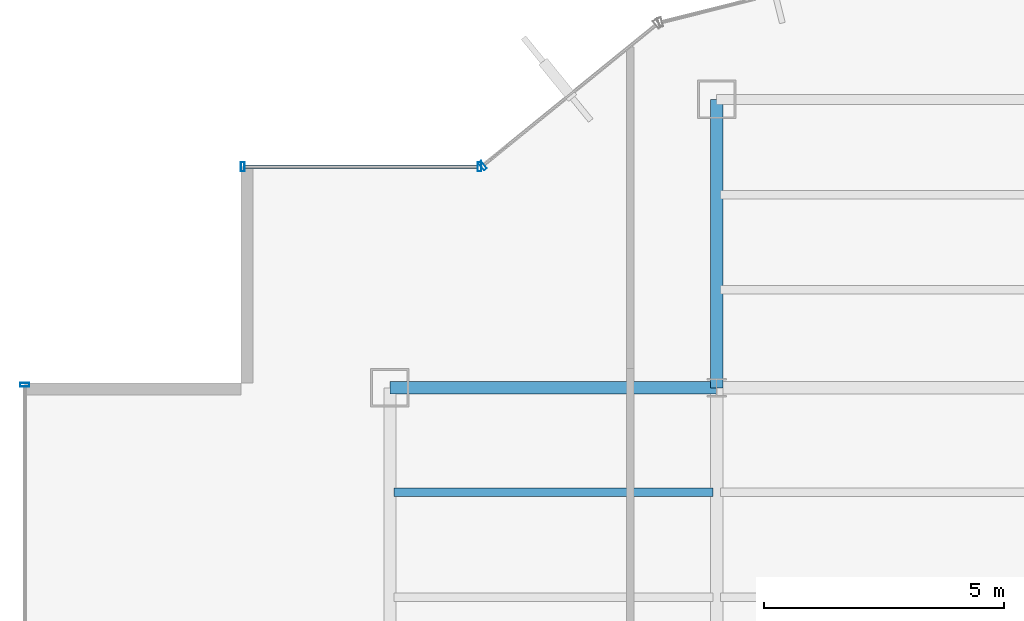
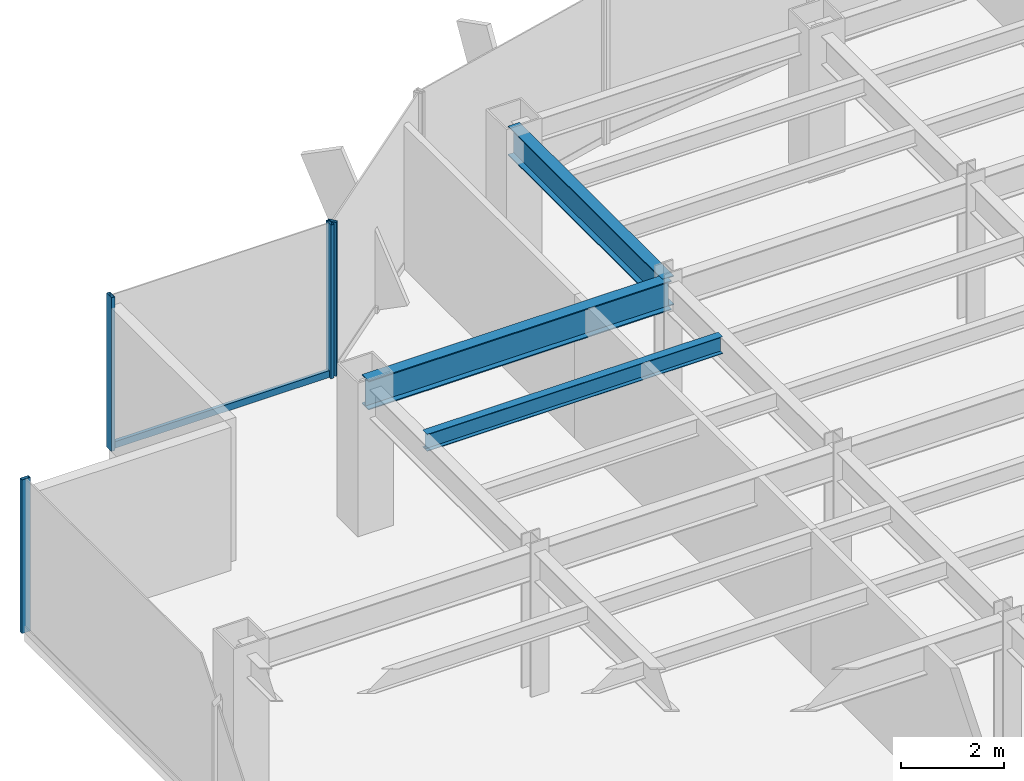
# One storey, part 13 of 26: 5 members, 3 beams, 3 elements without a shape of their own.
"""IFC4 building model written with IfcOpenShell, lengths in metres."""

import ifcopenshell
import ifcopenshell.guid

model = None  # the IFC model being written
_history = None  # IfcOwnerHistory: only IFC2X3 demands one
_inside = {}  # id of a spatial element -> (the spatial element, [elements in it])
_under = {}  # id of a project, library or spatial element -> (it, [spatial elements below it])
_declared = {}  # id of a project -> (the project, [libraries it declares])
_typed = {}  # id of a type object -> (the type object, [elements of that type])
_made_of = {}  # id of a material, layer set ... -> (it, [elements and type objects made of it])


def new_model(schema):
    """Start an empty IFC model of exactly this schema.

    Asked for "IFC4X3", IfcOpenShell would pick the latest addendum, in which some entities
    have other attributes; the version numbers below select the first issue.
    IFC2X3 requires an IfcOwnerHistory on every rooted entity: one is made here for all.
    """
    global model, _history
    if schema == "IFC4X3":
        model = ifcopenshell.file(schema_version=(4, 3, 0, 0))
    else:
        model = ifcopenshell.file(schema=schema)
    _inside.clear()
    _under.clear()
    _declared.clear()
    _typed.clear()
    _made_of.clear()
    _history = None
    if model.schema == "IFC2X3":
        org = make("IfcOrganization", Name="unknown")
        user = make(
            "IfcPersonAndOrganization",
            ThePerson=make("IfcPerson", FamilyName="unknown"),
            TheOrganization=org,
        )
        app = make(
            "IfcApplication",
            ApplicationDeveloper=org,
            Version="unknown",
            ApplicationFullName="unknown",
            ApplicationIdentifier="unknown",
        )
        _history = make(
            "IfcOwnerHistory",
            OwningUser=user,
            OwningApplication=app,
            ChangeAction="ADDED",
            CreationDate=0,
        )
    return model


def make(cls, **values):
    """One entity of the class cls with the attributes given. An attribute that is None is left unset."""
    return model.create_entity(
        cls, **{name: value for name, value in values.items() if value is not None}
    )


def rooted(cls, **values):
    """An entity with a GlobalId (a new one), such as an element, a storey or a relation."""
    return make(cls, GlobalId=ifcopenshell.guid.new(), OwnerHistory=_history, **values)


def si_unit(unit_type, name, prefix=None):
    """IfcSIUnit, for example si_unit("LENGTHUNIT", "METRE", prefix="MILLI")."""
    return make("IfcSIUnit", UnitType=unit_type, Prefix=prefix, Name=name)


def derived_unit(unit_type, elements):
    """IfcDerivedUnit: a product of units, each with its exponent."""
    return make(
        "IfcDerivedUnit",
        Elements=[
            make("IfcDerivedUnitElement", Unit=unit, Exponent=power)
            for unit, power in elements
        ],
        UnitType=unit_type,
    )


def assignment(units):
    """IfcUnitAssignment: the units of a project."""
    return None if units is None else make("IfcUnitAssignment", Units=units)


def point(xyz):
    """IfcCartesianPoint."""
    return None if xyz is None else make("IfcCartesianPoint", Coordinates=xyz)


def direction(xyz):
    """IfcDirection."""
    return None if xyz is None else make("IfcDirection", DirectionRatios=xyz)


def frame(location, z_axis=None, x_axis=None):
    """IfcAxis2Placement3D, a coordinate frame: its origin and axes. An axis left out is left unset."""
    return make(
        "IfcAxis2Placement3D",
        Location=point(location),
        Axis=direction(z_axis),
        RefDirection=direction(x_axis),
    )


def frame_2d(location, x_axis=None):
    """IfcAxis2Placement2D, a coordinate frame in the plane: its origin and x axis."""
    return make(
        "IfcAxis2Placement2D", Location=point(location), RefDirection=direction(x_axis)
    )


def origin():
    """The frame at (0, 0, 0) with its axes left unset."""
    return frame((0.0, 0.0, 0.0))


def origin_2d():
    """The frame at (0, 0) in the plane with its x axis left unset."""
    return frame_2d((0.0, 0.0))


def place(relative_to, where):
    """IfcLocalPlacement: puts the frame where relative to a parent placement (None: the world)."""
    return make(
        "IfcLocalPlacement", PlacementRelTo=relative_to, RelativePlacement=where
    )


def context(
    kind, dimensions, precision=None, world=None, true_north=None, identifier=None
):
    """IfcGeometricRepresentationContext, for example the 3D "Model" context."""
    return make(
        "IfcGeometricRepresentationContext",
        ContextIdentifier=identifier,
        ContextType=kind,
        CoordinateSpaceDimension=dimensions,
        Precision=precision,
        WorldCoordinateSystem=world,
        TrueNorth=true_north,
    )


def subcontext(parent, identifier, kind, view, scale=None):
    """IfcGeometricRepresentationSubContext, for example "Body" below "Model"."""
    return make(
        "IfcGeometricRepresentationSubContext",
        ContextIdentifier=identifier,
        ContextType=kind,
        ParentContext=parent,
        TargetScale=scale,
        TargetView=view,
    )


def project(units=None, contexts=None):
    """IfcProject with its units and contexts."""
    return rooted(
        "IfcProject",
        Name="project",
        RepresentationContexts=contexts,
        UnitsInContext=assignment(units),
    )


def spatial(cls, under=None, at=None, **own):
    """A site, building, storey or space (cls), placed at a placement, below another one or the project."""
    s = rooted(cls, ObjectPlacement=at, **own)
    if under is not None:
        _under.setdefault(under.id(), (under, []))[1].append(s)
    return s


def profile(cls, at=None, kind="AREA", **sizes):
    """A parametric profile (cls). Its sizes go by their IFC names, for example OverallWidth=200.0."""
    return make(cls, ProfileType=kind, Position=at, **sizes)


def hollow_rectangle(**sizes):
    """IfcRectangleHollowProfileDef."""
    return profile("IfcRectangleHollowProfileDef", **sizes)


def i_section(**sizes):
    """IfcIShapeProfileDef."""
    return profile("IfcIShapeProfileDef", **sizes)


def extrude(swept, where, along, depth):
    """IfcExtrudedAreaSolid: the profile swept, set in the frame where, extruded along a direction by depth."""
    return make(
        "IfcExtrudedAreaSolid",
        SweptArea=swept,
        Position=where,
        ExtrudedDirection=direction(along),
        Depth=depth,
    )


def shape(context_of_items, identifier, shape_type, items):
    """IfcShapeRepresentation: the items that make up one representation, for example the "Body"."""
    return make(
        "IfcShapeRepresentation",
        ContextOfItems=context_of_items,
        RepresentationIdentifier=identifier,
        RepresentationType=shape_type,
        Items=items,
    )


def source(mapping_origin, context_of_items, identifier, shape_type, items):
    """IfcRepresentationMap: a shape defined once, which mapped items show again and again."""
    return make(
        "IfcRepresentationMap",
        MappingOrigin=mapping_origin,
        MappedRepresentation=shape(context_of_items, identifier, shape_type, items),
    )


def transform(
    local_origin,
    x_axis=None,
    y_axis=None,
    z_axis=None,
    scale=None,
    scale2=None,
    scale3=None,
    uniform=True,
):
    """IfcCartesianTransformationOperator3D, or its non-uniform kind. x_axis, y_axis, z_axis: its Axis1, 2, 3."""
    if uniform:
        return make(
            "IfcCartesianTransformationOperator3D",
            Axis1=direction(x_axis),
            Axis2=direction(y_axis),
            LocalOrigin=point(local_origin),
            Scale=scale,
            Axis3=direction(z_axis),
        )
    return make(
        "IfcCartesianTransformationOperator3DnonUniform",
        Axis1=direction(x_axis),
        Axis2=direction(y_axis),
        LocalOrigin=point(local_origin),
        Scale=scale,
        Axis3=direction(z_axis),
        Scale2=scale2,
        Scale3=scale3,
    )


def mapped(mapping_source, mapping_target):
    """IfcMappedItem: shows the shape of a source again, moved by a transform."""
    return make(
        "IfcMappedItem", MappingSource=mapping_source, MappingTarget=mapping_target
    )


def material(Name=None, Category=None):
    """IfcMaterial."""
    return make("IfcMaterial", Name=Name, Category=Category)


def material_profile(
    of_material, cross_section, Name=None, Category=None, Priority=None
):
    """IfcMaterialProfile: a cross section and its material."""
    return make(
        "IfcMaterialProfile",
        Name=Name,
        Material=of_material,
        Profile=cross_section,
        Priority=Priority,
        Category=Category,
    )


def profile_set(profiles, Name=None, composite=None):
    """IfcMaterialProfileSet."""
    return make(
        "IfcMaterialProfileSet",
        Name=Name,
        MaterialProfiles=profiles,
        CompositeProfile=composite,
    )


def made_of(thing, what):
    """Note that an element or type object is made of a material, layer set ...; save() writes the relation."""
    if what is not None:
        _made_of.setdefault(what.id(), (what, []))[1].append(thing)
    return thing


def type_object(cls, material=None, **own):
    """A type object (cls), such as IfcWallType, which elements share."""
    return made_of(rooted(cls, **own), material)


def element(
    cls,
    number,
    at=None,
    inside=None,
    cuts=None,
    type_object=None,
    material=None,
    context=None,
    identifier="Body",
    shape_type=None,
    held_by="IfcProductDefinitionShape",
    body=None,
    shapes=None,
    **own,
):
    """One element of the class cls, such as IfcWall. Its Tag is "e" and its number.

    at: its placement. inside: the storey or other place that contains it. cuts: it is an
    opening in that element (IfcRelVoidsElement). A single representation is given by context,
    identifier, shape_type and body (its items); several are given by shapes. held_by: the class
    of the entity that holds the representations. save() writes the other relations.
    """
    e = rooted(cls, Tag="e%d" % number, ObjectPlacement=at, **own)
    if body is not None:
        shapes = [shape(context, identifier, shape_type, body)]
    if shapes is not None:
        e.Representation = make(held_by, Representations=shapes)
    if inside is not None:
        _inside.setdefault(inside.id(), (inside, []))[1].append(e)
    if cuts is not None:
        rooted(
            "IfcRelVoidsElement", RelatingBuildingElement=cuts, RelatedOpeningElement=e
        )
    if type_object is not None:
        _typed.setdefault(type_object.id(), (type_object, []))[1].append(e)
    return made_of(e, material)


def aggregate(whole, parts):
    """IfcRelAggregates: a whole, such as a stair, and the parts it consists of."""
    return rooted("IfcRelAggregates", RelatingObject=whole, RelatedObjects=parts)


def save(model, path):
    """Write the relations noted so far, then the file.

    IfcRelAggregates (storeys below a building ...), IfcRelContainedInSpatialStructure (elements
    in a storey), IfcRelDefinesByType, IfcRelAssociatesMaterial and IfcRelDeclares: one each for
    every whole, place, type object, material and project.
    """
    for whole, parts in _under.values():
        aggregate(whole, parts)
    for where, things in _inside.values():
        rooted(
            "IfcRelContainedInSpatialStructure",
            RelatedElements=things,
            RelatingStructure=where,
        )
    for kind, things in _typed.values():
        rooted("IfcRelDefinesByType", RelatedObjects=things, RelatingType=kind)
    for what, things in _made_of.values():
        rooted("IfcRelAssociatesMaterial", RelatedObjects=things, RelatingMaterial=what)
    for by, libraries in _declared.values():
        rooted("IfcRelDeclares", RelatingContext=by, RelatedDefinitions=libraries)
    model.write(path)


model = new_model("IFC4")

# Units and contexts
model_context = context("Model", 3, precision=1e-05, world=origin(), true_north=direction((0.0, 1.0)))
body_context = subcontext(model_context, "Body", "Model", "MODEL_VIEW")
ifc_project = project(units=[si_unit("LENGTHUNIT", "METRE"), si_unit("AREAUNIT", "SQUARE_METRE"), si_unit("VOLUMEUNIT", "CUBIC_METRE"), si_unit("PLANEANGLEUNIT", "RADIAN"), si_unit("MASSUNIT", "GRAM", prefix="KILO"), derived_unit("THERMALTRANSMITTANCEUNIT", [(si_unit("POWERUNIT", "WATT"), 1), (si_unit("LENGTHUNIT", "METRE"), -2), (si_unit("THERMODYNAMICTEMPERATUREUNIT", "KELVIN"), -1)])], contexts=[model_context])

# Site, building, storey
site_placement = place(None, origin())
site = spatial("IfcSite", under=ifc_project, at=site_placement, CompositionType="ELEMENT")
building_placement = place(site_placement, origin())
building = spatial("IfcBuilding", under=site, at=building_placement, Name="Skarnbrae Concourse Arena and Tower", CompositionType="ELEMENT")
storey_placement = place(building_placement, frame((0.0, 0.0, 117.85009765625)))
storey = spatial("IfcBuildingStorey", under=building, at=storey_placement, Name="L29", CompositionType="ELEMENT", Elevation=117.85009765625)

# Beams
ifc_material_1 = material(Name="Steel CSA G40.21 350W", Category="steel")
ifc_material_profile_1 = material_profile(ifc_material_1, i_section(OverallWidth=0.256103515625, OverallDepth=0.693115234375, WebThickness=0.014404296875, FlangeThickness=0.023681640625, at=origin_2d()), Name="W690X170")
ifc_profile_set_1 = profile_set([ifc_material_profile_1], Name="Steel CSA G40.21 350W")
beam_type_1 = type_object("IfcBeamType", Name="BM-GIRD-W690X170", PredefinedType="BEAM", material=ifc_profile_set_1)
shared_shape_1 = source(origin(), body_context, "Body", "SweptSolid", [
    extrude(i_section(OverallWidth=0.256103515625, OverallDepth=0.693115234375, WebThickness=0.014404296875, FlangeThickness=0.023681640625, at=origin_2d()), origin(), (0.0, 0.0, 1.0), 6.7998046875),
])
beam_1_placement = place(storey_placement, frame((7.60009765625, 34.39990234375, 3.053466796875), z_axis=(1.0, 0.0, 0.0), x_axis=(0.0, 1.0, 0.0)))
element("IfcBeam", 1, at=beam_1_placement, inside=storey, type_object=beam_type_1, Name="L29 Primary E-W girder Y34.4-1", PredefinedType="BEAM", context=body_context, shape_type="MappedRepresentation", body=[
    mapped(shared_shape_1, transform((0.0, 0.0, 0.0))),
])
shared_shape_2 = source(origin(), body_context, "Body", "SweptSolid", [
    extrude(i_section(OverallWidth=0.256103515625, OverallDepth=0.693115234375, WebThickness=0.014404296875, FlangeThickness=0.023681640625, at=origin_2d()), origin(), (0.0, 0.0, 1.0), 6.0),
])
beam_2_placement = place(storey_placement, frame((14.39990234375, 34.39990234375, 3.053466796875), z_axis=(0.0, 1.0, 0.0), x_axis=(-1.0, 0.0, 0.0)))
element("IfcBeam", 2, at=beam_2_placement, inside=storey, type_object=beam_type_1, Name="L29 Primary N-S girder X14.4-4", PredefinedType="BEAM", context=body_context, shape_type="MappedRepresentation", body=[
    mapped(shared_shape_2, transform((0.0, 0.0, 0.0))),
])
ifc_material_profile_2 = material_profile(ifc_material_1, i_section(OverallWidth=0.177978515625, OverallDepth=0.406982421875, WebThickness=0.0078125, FlangeThickness=0.0126953125, at=origin_2d()), Name="W410X60")
ifc_profile_set_2 = profile_set([ifc_material_profile_2], Name="Steel CSA G40.21 350W")
beam_type_2 = type_object("IfcBeamType", Name="BM-JOIST-W410X60", PredefinedType="JOIST", material=ifc_profile_set_2)
shared_shape_3 = source(origin(), body_context, "Body", "SweptSolid", [
    extrude(i_section(OverallWidth=0.177978515625, OverallDepth=0.406982421875, WebThickness=0.0078125, FlangeThickness=0.0126953125, at=origin_2d()), origin(), (0.0, 0.0, 1.0), 6.64013671875),
])
beam_3_placement = place(storey_placement, frame((7.679931640625, 32.221923828125, 3.1962890625), z_axis=(1.0, 0.0, 0.0), x_axis=(0.0, 1.0, 0.0)))
element("IfcBeam", 3, at=beam_3_placement, inside=storey, type_object=beam_type_2, Name="L29 Secondary floor joist 3.2.1", PredefinedType="JOIST", context=body_context, shape_type="MappedRepresentation", body=[
    mapped(shared_shape_3, transform((0.0, 0.0, 0.0))),
])

# Curtain wall, member
ifc_material_2 = material(Name="Bronze anodised aluminium 6063-T6", Category="aluminium")
curtain_wall_type = type_object("IfcCurtainWallType", Name="CW-SYS-04-MIDZONE", PredefinedType="USERDEFINED", material=ifc_material_2)
curtain_wall_1_placement = place(storey_placement, origin())
curtain_wall_1 = element("IfcCurtainWall", 4, at=curtain_wall_1_placement, inside=storey, type_object=curtain_wall_type, Name="L29 Unitised curtain wall CW-L29-E16", ObjectType="UNITISED CURTAIN WALL", PredefinedType="USERDEFINED")
ifc_material_profile_3 = material_profile(ifc_material_2, hollow_rectangle(XDim=0.074951171875, YDim=0.159912109375, WallThickness=0.00439453125, at=origin_2d()), Name="ALU-TRAN-75X160")
ifc_profile_set_3 = profile_set([ifc_material_profile_3], Name="Bronze anodised aluminium 6063-T6")
member_type_1 = type_object("IfcMemberType", Name="CWT-CW-04", PredefinedType="USERDEFINED", material=ifc_profile_set_3)
shared_shape_4 = source(origin(), body_context, "Body", "SweptSolid", [
    extrude(hollow_rectangle(XDim=0.074951171875, YDim=0.159912109375, WallThickness=0.00439453125, at=origin_2d()), origin(), (0.0, 0.0, 1.0), 4.85009765625),
])
member_1_placement = place(storey_placement, frame((9.425048828125, 39.0, 0.079833984375), z_axis=(-1.0, 0.0, 0.0), x_axis=(0.0, -1.0, 0.0)))
member_1 = element("IfcMember", 5, at=member_1_placement, type_object=member_type_1, Name="CW-L29-E16 Transom 1", ObjectType="TRANSOM", PredefinedType="USERDEFINED", context=body_context, shape_type="MappedRepresentation", body=[
    mapped(shared_shape_4, transform((0.0, 0.0, 0.0))),
])

curtain_wall_2_placement = place(storey_placement, origin())
curtain_wall_2 = element("IfcCurtainWall", 6, at=curtain_wall_2_placement, inside=storey, type_object=curtain_wall_type, Name="L29 Unitised curtain wall CW-L29-E15", ObjectType="UNITISED CURTAIN WALL", PredefinedType="USERDEFINED")
ifc_material_profile_4 = material_profile(ifc_material_2, hollow_rectangle(XDim=0.074951171875, YDim=0.195068359375, WallThickness=0.00439453125, at=origin_2d()), Name="ALU-MULL-75X195")
ifc_profile_set_4 = profile_set([ifc_material_profile_4], Name="Bronze anodised aluminium 6063-T6")
member_type_2 = type_object("IfcMemberType", Name="CWM-CW-04", PredefinedType="MULLION", material=ifc_profile_set_4)
shared_shape_5 = source(origin(), body_context, "Body", "SweptSolid", [
    extrude(hollow_rectangle(XDim=0.074951171875, YDim=0.195068359375, WallThickness=0.00439453125, at=origin_2d()), origin(), (0.0, 0.0, 1.0), 3.64990234375),
])
member_2_placement = place(storey_placement, frame((9.529052734375, 39.023681640625, 0.0), z_axis=(0.0, 0.0, 1.0), x_axis=(-0.776241200471, -0.630436038542, 0.0)))
member_2 = element("IfcMember", 7, at=member_2_placement, type_object=member_type_2, Name="CW-L29-E15 Mullion 2", PredefinedType="MULLION", context=body_context, shape_type="MappedRepresentation", body=[
    mapped(shared_shape_5, transform((0.0, 0.0, 0.0))),
])
aggregate(curtain_wall_2, [member_2])

# Member
member_3_placement = place(storey_placement, frame((9.46240234375, 39.0, 0.0), z_axis=(0.0, 0.0, 1.0), x_axis=(-1.0, 0.0, 0.0)))
member_3 = element("IfcMember", 8, at=member_3_placement, type_object=member_type_2, Name="CW-L29-E16 Mullion 1", PredefinedType="MULLION", context=body_context, shape_type="MappedRepresentation", body=[
    mapped(shared_shape_5, transform((0.0, 0.0, 0.0))),
])

member_4_placement = place(storey_placement, frame((4.53759765625, 39.0, 0.0), z_axis=(0.0, 0.0, 1.0), x_axis=(-1.0, 0.0, 0.0)))
member_4 = element("IfcMember", 9, at=member_4_placement, type_object=member_type_2, Name="CW-L29-E16 Mullion 2", PredefinedType="MULLION", context=body_context, shape_type="MappedRepresentation", body=[
    mapped(shared_shape_5, transform((0.0, 0.0, 0.0))),
])

aggregate(curtain_wall_1, [member_3, member_4, member_1])

# Curtain wall, member
curtain_wall_3_placement = place(storey_placement, origin())
curtain_wall_3 = element("IfcCurtainWall", 10, at=curtain_wall_3_placement, inside=storey, type_object=curtain_wall_type, Name="L29 Unitised curtain wall CW-L29-E19", ObjectType="UNITISED CURTAIN WALL", PredefinedType="USERDEFINED")
member_5_placement = place(storey_placement, frame((0.0, 34.46240234375, 0.0), z_axis=(0.0, 0.0, 1.0), x_axis=(0.0, -1.0, 0.0)))
member_5 = element("IfcMember", 11, at=member_5_placement, type_object=member_type_2, Name="CW-L29-E19 Mullion 1", PredefinedType="MULLION", context=body_context, shape_type="MappedRepresentation", body=[
    mapped(shared_shape_5, transform((0.0, 0.0, 0.0))),
])
aggregate(curtain_wall_3, [member_5])

save(model, "model.ifc")
